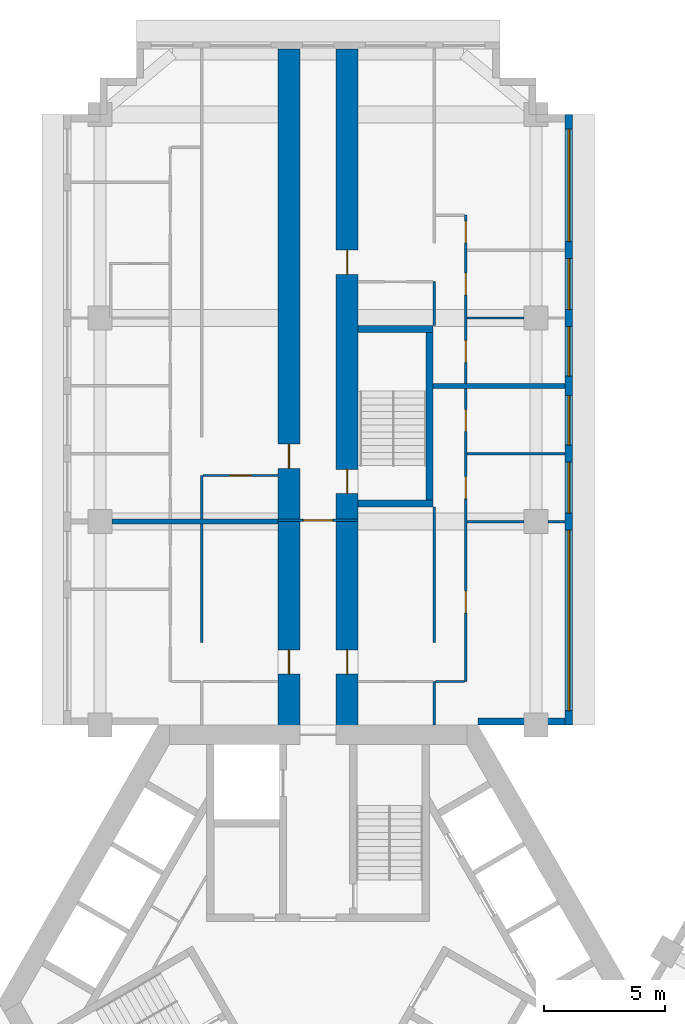
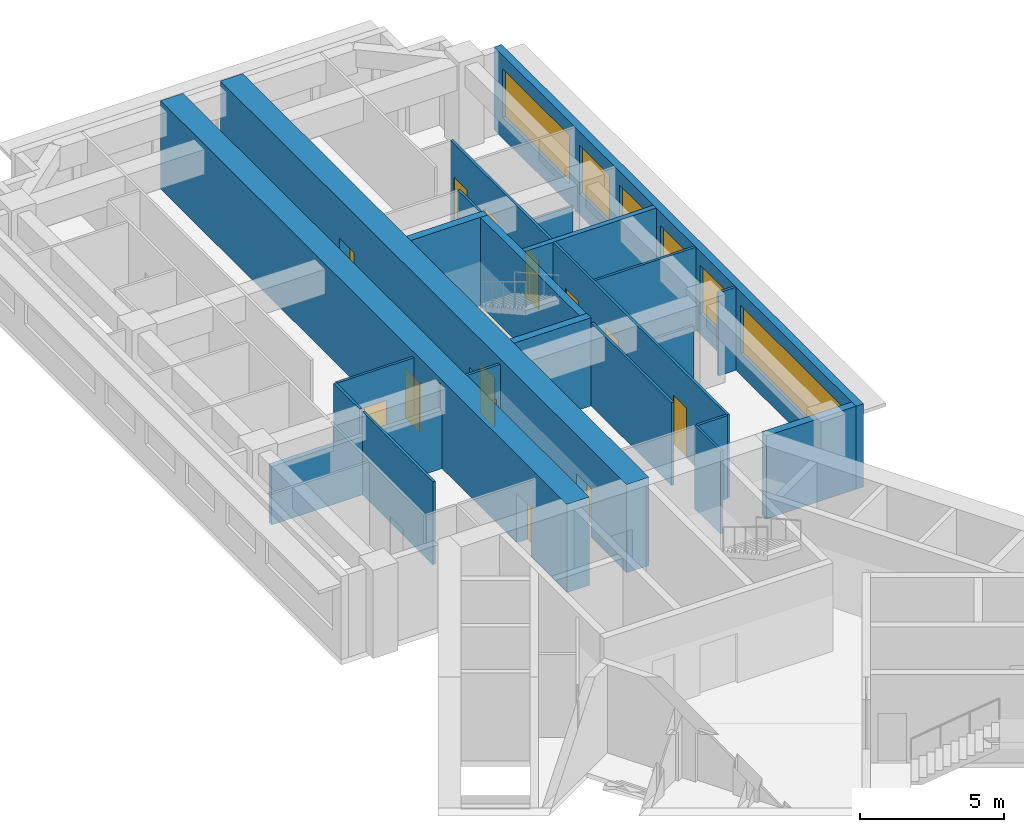
# One storey, part 9 of 12: 23 walls, 13 doors, 6 windows, 19 openings.
"""IFC4 building model written with IfcOpenShell, lengths in metres."""

from ifc_helpers import new_model, si_unit, direction, frame, frame_2d, origin, place, context, subcontext, project, spatial, rectangle, extrude, material, layer, layer_set, type_object, element, fill, save


model = new_model("IFC4")

# Units and contexts
model_context = context("Model", 3, precision=1e-05, world=origin(), true_north=direction((0.0, 1.0)))
body_context = subcontext(model_context, "Body", "Model", "MODEL_VIEW")
ifc_project = project(units=[si_unit("LENGTHUNIT", "METRE"), si_unit("AREAUNIT", "SQUARE_METRE"), si_unit("VOLUMEUNIT", "CUBIC_METRE"), si_unit("PLANEANGLEUNIT", "RADIAN"), si_unit("MASSUNIT", "GRAM", prefix="KILO")], contexts=[model_context])

# Site, building, storey
site_placement = place(None, origin())
site = spatial("IfcSite", under=ifc_project, at=site_placement, CompositionType="ELEMENT")
building_placement = place(site_placement, origin())
building = spatial("IfcBuilding", under=site, at=building_placement, Name="Impinga Residences", CompositionType="ELEMENT")
storey_placement = place(building_placement, frame((0.0, 0.0, 173.5)))
storey = spatial("IfcBuildingStorey", under=building, at=storey_placement, Name="L43", CompositionType="ELEMENT", Elevation=173.5)

# Wall, openings, doors
ifc_material_1 = material(Name="Concrete C60/75", Category="concrete")
ifc_layer_1 = layer(ifc_material_1, 0.89990234375)
ifc_layer_set_1 = layer_set([ifc_layer_1], Name="Concrete C60/75")
wall_type_1 = type_object("IfcWallType", Name="BW2 corridor buttress wall, L24 to L44 900", PredefinedType="SHEAR", material=ifc_layer_set_1)
wall_1_placement = place(storey_placement, frame((-1.199951171875, 11.031494140625, 0.0), z_axis=(0.0, 0.0, 1.0), x_axis=(0.0, 1.0, 0.0)))
wall_1 = element("IfcWall", 1, at=wall_1_placement, inside=storey, type_object=wall_type_1, Name="Corridor wall BW2 NC L43", PredefinedType="SHEAR", context=body_context, shape_type="SweptSolid", body=[
    extrude(rectangle(XDim=28.300048828125, YDim=0.89990234375, at=frame_2d((14.14990234375, 0.0))), origin(), (0.0, 0.0, 1.0), 3.75),
])
opening_1_placement = place(wall_1_placement, frame((2.5, 0.0, 0.0)))
opening_1 = element("IfcOpeningElement", 2, at=opening_1_placement, cuts=wall_1, Name="Opening D1", PredefinedType="OPENING", context=body_context, shape_type="SweptSolid", body=[
    extrude(rectangle(XDim=1.0, YDim=2.10009765625, at=frame_2d((0.5, 1.050048828125))), frame((0.0, 0.4599609375, 0.0), z_axis=(0.0, -1.0, 0.0), x_axis=(1.0, 0.0, 0.0)), (0.0, 0.0, 1.0), 0.919921875),
])
opening_2_placement = place(wall_1_placement, frame((11.0, 0.0, 0.0)))
opening_2 = element("IfcOpeningElement", 3, at=opening_2_placement, cuts=wall_1, Name="Opening D1", PredefinedType="OPENING", context=body_context, shape_type="SweptSolid", body=[
    extrude(rectangle(XDim=1.0, YDim=2.10009765625, at=frame_2d((0.5, 1.050048828125))), frame((0.0, 0.4599609375, 0.0), z_axis=(0.0, -1.0, 0.0), x_axis=(1.0, 0.0, 0.0)), (0.0, 0.0, 1.0), 0.919921875),
])
ifc_material_2 = material(Name="Timber door set", Category="wood")
door_type_1 = type_object("IfcDoorType", Name="D1 apartment entrance door 1000x2100", OperationType="SINGLE_SWING_LEFT", PredefinedType="DOOR", material=ifc_material_2)
door_1_placement = place(opening_1_placement, origin())
door_1 = element("IfcDoor", 4, at=door_1_placement, inside=storey, type_object=door_type_1, Name="Apartment L43-NA1 entrance", OperationType="SINGLE_SWING_LEFT", OverallHeight=2.10009765625, OverallWidth=1.0, PredefinedType="DOOR", context=body_context, shape_type="SweptSolid", body=[
    extrude(rectangle(XDim=1.0, YDim=2.10009765625, at=frame_2d((0.5, 1.050048828125))), frame((0.0, 0.02490234375, 0.0), z_axis=(0.0, -1.0, 0.0), x_axis=(1.0, 0.0, 0.0)), (0.0, 0.0, 1.0), 0.050048828125),
])
fill(opening_1, door_1)
door_2_placement = place(opening_2_placement, origin())
door_2 = element("IfcDoor", 5, at=door_2_placement, inside=storey, type_object=door_type_1, Name="Apartment L43-NA2 entrance", OperationType="SINGLE_SWING_LEFT", OverallHeight=2.10009765625, OverallWidth=1.0, PredefinedType="DOOR", context=body_context, shape_type="SweptSolid", body=[
    extrude(rectangle(XDim=1.0, YDim=2.10009765625, at=frame_2d((0.5, 1.050048828125))), frame((0.0, 0.02490234375, 0.0), z_axis=(0.0, -1.0, 0.0), x_axis=(1.0, 0.0, 0.0)), (0.0, 0.0, 1.0), 0.050048828125),
])
fill(opening_2, door_2)

wall_2_placement = place(storey_placement, frame((1.199951171875, 11.031494140625, 0.0), z_axis=(0.0, 0.0, 1.0), x_axis=(0.0, 1.0, 0.0)))
wall_2 = element("IfcWall", 6, at=wall_2_placement, inside=storey, type_object=wall_type_1, Name="Corridor wall BW2 ND L43", PredefinedType="SHEAR", context=body_context, shape_type="SweptSolid", body=[
    extrude(rectangle(XDim=28.300048828125, YDim=0.89990234375, at=frame_2d((14.14990234375, 0.0))), origin(), (0.0, 0.0, 1.0), 3.75),
])
opening_3_placement = place(wall_2_placement, frame((9.949951171875, 0.0, 0.0)))
opening_3 = element("IfcOpeningElement", 7, at=opening_3_placement, cuts=wall_2, Name="Opening D5", PredefinedType="OPENING", context=body_context, shape_type="SweptSolid", body=[
    extrude(rectangle(XDim=1.0, YDim=2.10009765625, at=frame_2d((0.5, 1.050048828125))), frame((0.0, 0.4599609375, 0.0), z_axis=(0.0, -1.0, 0.0), x_axis=(1.0, 0.0, 0.0)), (0.0, 0.0, 1.0), 0.919921875),
])
opening_4_placement = place(wall_2_placement, frame((2.5, 0.0, 0.0)))
opening_4 = element("IfcOpeningElement", 8, at=opening_4_placement, cuts=wall_2, Name="Opening D1", PredefinedType="OPENING", context=body_context, shape_type="SweptSolid", body=[
    extrude(rectangle(XDim=1.0, YDim=2.10009765625, at=frame_2d((0.5, 1.050048828125))), frame((0.0, 0.4599609375, 0.0), z_axis=(0.0, -1.0, 0.0), x_axis=(1.0, 0.0, 0.0)), (0.0, 0.0, 1.0), 0.919921875),
])
opening_5_placement = place(wall_2_placement, frame((19.0, 0.0, 0.0)))
opening_5 = element("IfcOpeningElement", 9, at=opening_5_placement, cuts=wall_2, Name="Opening D1", PredefinedType="OPENING", context=body_context, shape_type="SweptSolid", body=[
    extrude(rectangle(XDim=1.0, YDim=2.10009765625, at=frame_2d((0.5, 1.050048828125))), frame((0.0, 0.4599609375, 0.0), z_axis=(0.0, -1.0, 0.0), x_axis=(1.0, 0.0, 0.0)), (0.0, 0.0, 1.0), 0.919921875),
])
door_3_placement = place(opening_4_placement, origin())
door_3 = element("IfcDoor", 10, at=door_3_placement, inside=storey, type_object=door_type_1, Name="Apartment L43-NF1 entrance", OperationType="SINGLE_SWING_LEFT", OverallHeight=2.10009765625, OverallWidth=1.0, PredefinedType="DOOR", context=body_context, shape_type="SweptSolid", body=[
    extrude(rectangle(XDim=1.0, YDim=2.10009765625, at=frame_2d((0.5, 1.050048828125))), frame((0.0, 0.02490234375, 0.0), z_axis=(0.0, -1.0, 0.0), x_axis=(1.0, 0.0, 0.0)), (0.0, 0.0, 1.0), 0.050048828125),
])
fill(opening_4, door_3)
door_4_placement = place(opening_5_placement, origin())
door_4 = element("IfcDoor", 11, at=door_4_placement, inside=storey, type_object=door_type_1, Name="Apartment L43-NF2 entrance", OperationType="SINGLE_SWING_RIGHT", OverallHeight=2.10009765625, OverallWidth=1.0, PredefinedType="DOOR", context=body_context, shape_type="SweptSolid", body=[
    extrude(rectangle(XDim=1.0, YDim=2.10009765625, at=frame_2d((0.5, 1.050048828125))), frame((0.0, 0.02490234375, 0.0), z_axis=(0.0, -1.0, 0.0), x_axis=(1.0, 0.0, 0.0)), (0.0, 0.0, 1.0), 0.050048828125),
])
fill(opening_5, door_4)
door_type_2 = type_object("IfcDoorType", Name="D5 stair door 1000x2100", OperationType="SINGLE_SWING_LEFT", PredefinedType="DOOR", material=ifc_material_2)
door_5_placement = place(opening_3_placement, origin())
door_5 = element("IfcDoor", 12, at=door_5_placement, inside=storey, type_object=door_type_2, Name="Wing stair door N", OperationType="SINGLE_SWING_LEFT", OverallHeight=2.10009765625, OverallWidth=1.0, PredefinedType="DOOR", context=body_context, shape_type="SweptSolid", body=[
    extrude(rectangle(XDim=1.0, YDim=2.10009765625, at=frame_2d((0.5, 1.050048828125))), frame((0.0, 0.02490234375, 0.0), z_axis=(0.0, -1.0, 0.0), x_axis=(1.0, 0.0, 0.0)), (0.0, 0.0, 1.0), 0.050048828125),
])
fill(opening_3, door_5)

# Wall, opening, door
ifc_material_3 = material(Name="Concrete blockwork", Category="masonry")
ifc_layer_2 = layer(ifc_material_3, 0.10009765625)
ifc_layer_set_2 = layer_set([ifc_layer_2], Name="CP1 core room partition, blockwork 100")
wall_type_2 = type_object("IfcWallType", Name="CP1 core room partition, blockwork 100", PredefinedType="PARTITIONING", material=ifc_layer_set_2)
wall_3_placement = place(storey_placement, frame((-1.64990234375, 19.882080078125, 0.0), z_axis=(0.0, 0.0, 1.0), x_axis=(1.0, 0.0, 0.0)))
wall_3 = element("IfcWall", 13, at=wall_3_placement, inside=storey, type_object=wall_type_2, Name="Core room partition, blockwork L43:N:SCR", PredefinedType="PARTITIONING", context=body_context, shape_type="SweptSolid", body=[
    extrude(rectangle(XDim=3.2998046875, YDim=0.10009765625, at=frame_2d((1.64990234375, 0.0))), origin(), (0.0, 0.0, 1.0), 3.530029296875),
])
opening_6_placement = place(wall_3_placement, frame((1.050048828125, 0.0, 0.0)))
opening_6 = element("IfcOpeningElement", 14, at=opening_6_placement, cuts=wall_3, Name="Opening D3", PredefinedType="OPENING", context=body_context, shape_type="SweptSolid", body=[
    extrude(rectangle(XDim=1.199951171875, YDim=2.10009765625, at=frame_2d((0.60009765625, 1.050048828125))), frame((0.0, 0.06005859375, 0.0), z_axis=(0.0, -1.0, 0.0), x_axis=(1.0, 0.0, 0.0)), (0.0, 0.0, 1.0), 0.1201171875),
])
door_type_3 = type_object("IfcDoorType", Name="D3 room door, leaf and a half 1200x2100", OperationType="DOUBLE_SWING_LEFT", PredefinedType="DOOR", material=ifc_material_2)
door_6_placement = place(opening_6_placement, origin())
door_6 = element("IfcDoor", 15, at=door_6_placement, inside=storey, type_object=door_type_3, Name="Corridor smoke door N", OperationType="DOUBLE_SWING_LEFT", OverallHeight=2.10009765625, OverallWidth=1.199951171875, PredefinedType="DOOR", context=body_context, shape_type="SweptSolid", body=[
    extrude(rectangle(XDim=1.199951171875, YDim=2.10009765625, at=frame_2d((0.60009765625, 1.050048828125))), frame((0.0, 0.02490234375, 0.0), z_axis=(0.0, -1.0, 0.0), x_axis=(1.0, 0.0, 0.0)), (0.0, 0.0, 1.0), 0.050048828125),
])
fill(opening_6, door_6)

# Wall, openings, windows
ifc_material_4 = material(Name="Terracotta rainscreen on blockwork", Category="masonry")
ifc_layer_3 = layer(ifc_material_4, 0.300048828125)
ifc_layer_set_3 = layer_set([ifc_layer_3], Name="EW1 external wall, terracotta rainscreen on blockwork 300")
wall_type_3 = type_object("IfcWallType", Name="EW1 external wall, terracotta rainscreen on blockwork 300", PredefinedType="SOLIDWALL", material=ifc_layer_set_3)
wall_4_placement = place(storey_placement, frame((10.35009765625, 36.631591796875, 0.0), z_axis=(0.0, 0.0, 1.0), x_axis=(0.0, -1.0, 0.0)))
wall_4 = element("IfcWall", 16, at=wall_4_placement, inside=storey, type_object=wall_type_3, Name="External wall EW1 L43", PredefinedType="SOLIDWALL", context=body_context, shape_type="SweptSolid", body=[
    extrude(rectangle(XDim=25.199951171875, YDim=0.300048828125, at=frame_2d((12.60009765625, 0.0))), origin(), (0.0, 0.0, 1.0), 3.530029296875),
])
opening_7_placement = place(wall_4_placement, frame((0.60009765625, 0.0, 0.89990234375)))
opening_7 = element("IfcOpeningElement", 17, at=opening_7_placement, cuts=wall_4, Name="Opening W10", PredefinedType="OPENING", context=body_context, shape_type="SweptSolid", body=[
    extrude(rectangle(XDim=4.64990234375, YDim=2.050048828125, at=frame_2d((2.324951171875, 1.02490234375))), frame((0.0, 0.159912109375, 0.0), z_axis=(0.0, -1.0, 0.0), x_axis=(1.0, 0.0, 0.0)), (0.0, 0.0, 1.0), 0.320068359375),
])
opening_8_placement = place(wall_4_placement, frame((5.949951171875, 0.0, 0.89990234375)))
opening_8 = element("IfcOpeningElement", 18, at=opening_8_placement, cuts=wall_4, Name="Opening W9", PredefinedType="OPENING", context=body_context, shape_type="SweptSolid", body=[
    extrude(rectangle(XDim=2.10009765625, YDim=2.050048828125, at=frame_2d((1.050048828125, 1.02490234375))), frame((0.0, 0.159912109375, 0.0), z_axis=(0.0, -1.0, 0.0), x_axis=(1.0, 0.0, 0.0)), (0.0, 0.0, 1.0), 0.320068359375),
])
opening_9_placement = place(wall_4_placement, frame((8.75, 0.0, 0.89990234375)))
opening_9 = element("IfcOpeningElement", 19, at=opening_9_placement, cuts=wall_4, Name="Opening W14", PredefinedType="OPENING", context=body_context, shape_type="SweptSolid", body=[
    extrude(rectangle(XDim=2.050048828125, YDim=2.050048828125, at=frame_2d((1.02490234375, 1.02490234375))), frame((0.0, 0.159912109375, 0.0), z_axis=(0.0, -1.0, 0.0), x_axis=(1.0, 0.0, 0.0)), (0.0, 0.0, 1.0), 0.320068359375),
])
opening_10_placement = place(wall_4_placement, frame((11.60009765625, 0.0, 0.89990234375)))
opening_10 = element("IfcOpeningElement", 20, at=opening_10_placement, cuts=wall_4, Name="Opening W14", PredefinedType="OPENING", context=body_context, shape_type="SweptSolid", body=[
    extrude(rectangle(XDim=2.050048828125, YDim=2.050048828125, at=frame_2d((1.02490234375, 1.02490234375))), frame((0.0, 0.159912109375, 0.0), z_axis=(0.0, -1.0, 0.0), x_axis=(1.0, 0.0, 0.0)), (0.0, 0.0, 1.0), 0.320068359375),
])
opening_11_placement = place(wall_4_placement, frame((14.35009765625, 0.0, 0.89990234375)))
opening_11 = element("IfcOpeningElement", 21, at=opening_11_placement, cuts=wall_4, Name="Opening W9", PredefinedType="OPENING", context=body_context, shape_type="SweptSolid", body=[
    extrude(rectangle(XDim=2.10009765625, YDim=2.050048828125, at=frame_2d((1.050048828125, 1.02490234375))), frame((0.0, 0.159912109375, 0.0), z_axis=(0.0, -1.0, 0.0), x_axis=(1.0, 0.0, 0.0)), (0.0, 0.0, 1.0), 0.320068359375),
])
opening_12_placement = place(wall_4_placement, frame((17.14990234375, 0.0, 0.89990234375)))
opening_12 = element("IfcOpeningElement", 22, at=opening_12_placement, cuts=wall_4, Name="Opening W7", PredefinedType="OPENING", context=body_context, shape_type="SweptSolid", body=[
    extrude(rectangle(XDim=7.449951171875, YDim=2.050048828125, at=frame_2d((3.72509765625, 1.02490234375))), frame((0.0, 0.159912109375, 0.0), z_axis=(0.0, -1.0, 0.0), x_axis=(1.0, 0.0, 0.0)), (0.0, 0.0, 1.0), 0.320068359375),
])
ifc_material_5 = material(Name="Aluminium window, clear double glazing", Category="aluminium")
window_type_1 = type_object("IfcWindowType", Name="W10 ribbon window 4650x2050", PartitioningType="SINGLE_PANEL", PredefinedType="WINDOW", material=ifc_material_5)
window_1_placement = place(opening_7_placement, origin())
window_1 = element("IfcWindow", 23, at=window_1_placement, inside=storey, type_object=window_type_1, Name="Window L43", OverallHeight=2.050048828125, OverallWidth=4.64990234375, PartitioningType="SINGLE_PANEL", PredefinedType="WINDOW", context=body_context, shape_type="SweptSolid", body=[
    extrude(rectangle(XDim=4.64990234375, YDim=2.050048828125, at=frame_2d((2.324951171875, 1.02490234375))), frame((0.0, 0.030029296875, 0.0), z_axis=(0.0, -1.0, 0.0), x_axis=(1.0, 0.0, 0.0)), (0.0, 0.0, 1.0), 0.06005859375),
])
fill(opening_7, window_1)
window_type_2 = type_object("IfcWindowType", Name="W14 ribbon window 2050x2050", PartitioningType="SINGLE_PANEL", PredefinedType="WINDOW", material=ifc_material_5)
window_2_placement = place(opening_9_placement, origin())
window_2 = element("IfcWindow", 24, at=window_2_placement, inside=storey, type_object=window_type_2, Name="Window L43", OverallHeight=2.050048828125, OverallWidth=2.050048828125, PartitioningType="SINGLE_PANEL", PredefinedType="WINDOW", context=body_context, shape_type="SweptSolid", body=[
    extrude(rectangle(XDim=2.050048828125, YDim=2.050048828125, at=frame_2d((1.02490234375, 1.02490234375))), frame((0.0, 0.030029296875, 0.0), z_axis=(0.0, -1.0, 0.0), x_axis=(1.0, 0.0, 0.0)), (0.0, 0.0, 1.0), 0.06005859375),
])
fill(opening_9, window_2)
window_3_placement = place(opening_10_placement, origin())
window_3 = element("IfcWindow", 25, at=window_3_placement, inside=storey, type_object=window_type_2, Name="Window L43", OverallHeight=2.050048828125, OverallWidth=2.050048828125, PartitioningType="SINGLE_PANEL", PredefinedType="WINDOW", context=body_context, shape_type="SweptSolid", body=[
    extrude(rectangle(XDim=2.050048828125, YDim=2.050048828125, at=frame_2d((1.02490234375, 1.02490234375))), frame((0.0, 0.030029296875, 0.0), z_axis=(0.0, -1.0, 0.0), x_axis=(1.0, 0.0, 0.0)), (0.0, 0.0, 1.0), 0.06005859375),
])
fill(opening_10, window_3)
window_type_3 = type_object("IfcWindowType", Name="W7 ribbon window 7450x2050", PartitioningType="SINGLE_PANEL", PredefinedType="WINDOW", material=ifc_material_5)
window_4_placement = place(opening_12_placement, origin())
window_4 = element("IfcWindow", 26, at=window_4_placement, inside=storey, type_object=window_type_3, Name="Window L43", OverallHeight=2.050048828125, OverallWidth=7.449951171875, PartitioningType="SINGLE_PANEL", PredefinedType="WINDOW", context=body_context, shape_type="SweptSolid", body=[
    extrude(rectangle(XDim=7.449951171875, YDim=2.050048828125, at=frame_2d((3.72509765625, 1.02490234375))), frame((0.0, 0.030029296875, 0.0), z_axis=(0.0, -1.0, 0.0), x_axis=(1.0, 0.0, 0.0)), (0.0, 0.0, 1.0), 0.06005859375),
])
fill(opening_12, window_4)
window_type_4 = type_object("IfcWindowType", Name="W9 ribbon window 2100x2050", PartitioningType="SINGLE_PANEL", PredefinedType="WINDOW", material=ifc_material_5)
window_5_placement = place(opening_8_placement, origin())
window_5 = element("IfcWindow", 27, at=window_5_placement, inside=storey, type_object=window_type_4, Name="Window L43", OverallHeight=2.050048828125, OverallWidth=2.10009765625, PartitioningType="SINGLE_PANEL", PredefinedType="WINDOW", context=body_context, shape_type="SweptSolid", body=[
    extrude(rectangle(XDim=2.10009765625, YDim=2.050048828125, at=frame_2d((1.050048828125, 1.02490234375))), frame((0.0, 0.030029296875, 0.0), z_axis=(0.0, -1.0, 0.0), x_axis=(1.0, 0.0, 0.0)), (0.0, 0.0, 1.0), 0.06005859375),
])
fill(opening_8, window_5)
window_6_placement = place(opening_11_placement, origin())
window_6 = element("IfcWindow", 28, at=window_6_placement, inside=storey, type_object=window_type_4, Name="Window L43", OverallHeight=2.050048828125, OverallWidth=2.10009765625, PartitioningType="SINGLE_PANEL", PredefinedType="WINDOW", context=body_context, shape_type="SweptSolid", body=[
    extrude(rectangle(XDim=2.10009765625, YDim=2.050048828125, at=frame_2d((1.050048828125, 1.02490234375))), frame((0.0, 0.030029296875, 0.0), z_axis=(0.0, -1.0, 0.0), x_axis=(1.0, 0.0, 0.0)), (0.0, 0.0, 1.0), 0.06005859375),
])
fill(opening_11, window_6)

# Walls
wall_5_placement = place(storey_placement, frame((10.199951171875, 11.58154296875, 0.0), z_axis=(0.0, 0.0, 1.0), x_axis=(-1.0, 0.0, 0.0)))
element("IfcWall", 29, at=wall_5_placement, inside=storey, type_object=wall_type_3, Name="External wall EW1 L43", PredefinedType="SOLIDWALL", context=body_context, shape_type="SweptSolid", body=[
    extrude(rectangle(XDim=3.599853515625, YDim=0.300048828125, at=frame_2d((1.7998046875, 0.0))), origin(), (0.0, 0.0, 1.0), 3.530029296875),
])
ifc_material_6 = material(Name="Gypsum board on steel studs", Category="steel")
ifc_layer_4 = layer(ifc_material_6, 0.10009765625)
ifc_layer_set_4 = layer_set([ifc_layer_4], Name="Gypsum board on steel studs")
wall_type_4 = type_object("IfcWallType", Name="IP1 partition 100", PredefinedType="PARTITIONING", material=ifc_layer_set_4)
wall_6_placement = place(storey_placement, frame((-4.800048828125, 14.83154296875, 0.0), z_axis=(0.0, 0.0, 1.0), x_axis=(0.0, 1.0, 0.0)))
element("IfcWall", 30, at=wall_6_placement, inside=storey, type_object=wall_type_4, Name="Partition L43-NA1:DIV1", PredefinedType="PARTITIONING", context=body_context, shape_type="SweptSolid", body=[
    extrude(rectangle(XDim=4.89990234375, YDim=0.10009765625, at=frame_2d((2.449951171875, 0.0))), origin(), (0.0, 0.0, 1.0), 3.530029296875),
])
wall_7_placement = place(storey_placement, frame((-4.800048828125, 19.931640625, 0.0), z_axis=(0.0, 0.0, 1.0), x_axis=(0.0, 1.0, 0.0)))
element("IfcWall", 31, at=wall_7_placement, inside=storey, type_object=wall_type_4, Name="Partition L43-NA2:DIV0", PredefinedType="PARTITIONING", context=body_context, shape_type="SweptSolid", body=[
    extrude(rectangle(XDim=1.7998046875, YDim=0.10009765625, at=frame_2d((0.89990234375, 0.0))), origin(), (0.0, 0.0, 1.0), 3.530029296875),
])

# Wall, opening, door
wall_8_placement = place(storey_placement, frame((-1.64990234375, 21.7314453125, 0.0), z_axis=(0.0, 0.0, 1.0), x_axis=(-1.0, 0.0, 0.0)))
wall_8 = element("IfcWall", 32, at=wall_8_placement, inside=storey, type_object=wall_type_4, Name="Partition L43-NA2:IB1", PredefinedType="PARTITIONING", context=body_context, shape_type="SweptSolid", body=[
    extrude(rectangle(XDim=3.10009765625, YDim=0.10009765625, at=frame_2d((1.550048828125, 0.0))), origin(), (0.0, 0.0, 1.0), 3.530029296875),
])
opening_13_placement = place(wall_8_placement, frame((1.10009765625, 0.0, 0.0)))
opening_13 = element("IfcOpeningElement", 33, at=opening_13_placement, cuts=wall_8, Name="Opening D2", PredefinedType="OPENING", context=body_context, shape_type="SweptSolid", body=[
    extrude(rectangle(XDim=0.89990234375, YDim=2.10009765625, at=frame_2d((0.449951171875, 1.050048828125))), frame((0.0, 0.06005859375, 0.0), z_axis=(0.0, -1.0, 0.0), x_axis=(1.0, 0.0, 0.0)), (0.0, 0.0, 1.0), 0.1201171875),
])
door_type_4 = type_object("IfcDoorType", Name="D2 internal door 900x2100", OperationType="SINGLE_SWING_LEFT", PredefinedType="DOOR", material=ifc_material_2)
door_7_placement = place(opening_13_placement, origin())
door_7 = element("IfcDoor", 34, at=door_7_placement, inside=storey, type_object=door_type_4, Name="Apartment L43-NA2 bathroom door", OperationType="SINGLE_SWING_LEFT", OverallHeight=2.10009765625, OverallWidth=0.89990234375, PredefinedType="DOOR", context=body_context, shape_type="SweptSolid", body=[
    extrude(rectangle(XDim=0.89990234375, YDim=2.10009765625, at=frame_2d((0.449951171875, 1.050048828125))), frame((0.0, 0.02490234375, 0.0), z_axis=(0.0, -1.0, 0.0), x_axis=(1.0, 0.0, 0.0)), (0.0, 0.0, 1.0), 0.050048828125),
])
fill(opening_13, door_7)

# Walls
wall_9_placement = place(storey_placement, frame((4.800048828125, 11.431640625, 0.0), z_axis=(0.0, 0.0, 1.0), x_axis=(0.0, 1.0, 0.0)))
element("IfcWall", 35, at=wall_9_placement, inside=storey, type_object=wall_type_4, Name="Partition L43-NF1:DIV0", PredefinedType="PARTITIONING", context=body_context, shape_type="SweptSolid", body=[
    extrude(rectangle(XDim=1.7998046875, YDim=0.10009765625, at=frame_2d((0.89990234375, 0.0))), origin(), (0.0, 0.0, 1.0), 3.530029296875),
])
wall_10_placement = place(storey_placement, frame((4.800048828125, 14.83154296875, 0.0), z_axis=(0.0, 0.0, 1.0), x_axis=(0.0, 1.0, 0.0)))
element("IfcWall", 36, at=wall_10_placement, inside=storey, type_object=wall_type_4, Name="Partition L43-NF1:DIV1", PredefinedType="PARTITIONING", context=body_context, shape_type="SweptSolid", body=[
    extrude(rectangle(XDim=5.60009765625, YDim=0.10009765625, at=frame_2d((2.800048828125, 0.0))), origin(), (0.0, 0.0, 1.0), 3.530029296875),
])

# Wall, openings, doors
wall_11_placement = place(storey_placement, frame((6.10009765625, 13.2314453125, 0.0), z_axis=(0.0, 0.0, 1.0), x_axis=(0.0, 1.0, 0.0)))
wall_11 = element("IfcWall", 37, at=wall_11_placement, inside=storey, type_object=wall_type_4, Name="Partition L43-NF1:STRIP", PredefinedType="PARTITIONING", context=body_context, shape_type="SweptSolid", body=[
    extrude(rectangle(XDim=12.10009765625, YDim=0.10009765625, at=frame_2d((6.050048828125, 0.0))), origin(), (0.0, 0.0, 1.0), 3.530029296875),
])
opening_14_placement = place(wall_11_placement, frame((2.824951171875, 0.0, 0.0)))
opening_14 = element("IfcOpeningElement", 38, at=opening_14_placement, cuts=wall_11, Name="Opening D2", PredefinedType="OPENING", context=body_context, shape_type="SweptSolid", body=[
    extrude(rectangle(XDim=0.89990234375, YDim=2.10009765625, at=frame_2d((0.449951171875, 1.050048828125))), frame((0.0, 0.06005859375, 0.0), z_axis=(0.0, -1.0, 0.0), x_axis=(1.0, 0.0, 0.0)), (0.0, 0.0, 1.0), 0.1201171875),
])
opening_15_placement = place(wall_11_placement, frame((7.550048828125, 0.0, 0.0)))
opening_15 = element("IfcOpeningElement", 39, at=opening_15_placement, cuts=wall_11, Name="Opening D2", PredefinedType="OPENING", context=body_context, shape_type="SweptSolid", body=[
    extrude(rectangle(XDim=0.89990234375, YDim=2.10009765625, at=frame_2d((0.449951171875, 1.050048828125))), frame((0.0, 0.06005859375, 0.0), z_axis=(0.0, -1.0, 0.0), x_axis=(1.0, 0.0, 0.0)), (0.0, 0.0, 1.0), 0.1201171875),
])
opening_16_placement = place(wall_11_placement, frame((10.324951171875, 0.0, 0.0)))
opening_16 = element("IfcOpeningElement", 40, at=opening_16_placement, cuts=wall_11, Name="Opening D2", PredefinedType="OPENING", context=body_context, shape_type="SweptSolid", body=[
    extrude(rectangle(XDim=0.89990234375, YDim=2.10009765625, at=frame_2d((0.449951171875, 1.050048828125))), frame((0.0, 0.06005859375, 0.0), z_axis=(0.0, -1.0, 0.0), x_axis=(1.0, 0.0, 0.0)), (0.0, 0.0, 1.0), 0.1201171875),
])
door_8_placement = place(opening_14_placement, origin())
door_8 = element("IfcDoor", 41, at=door_8_placement, inside=storey, type_object=door_type_4, Name="Apartment L43-NF1 room door", OperationType="SINGLE_SWING_LEFT", OverallHeight=2.10009765625, OverallWidth=0.89990234375, PredefinedType="DOOR", context=body_context, shape_type="SweptSolid", body=[
    extrude(rectangle(XDim=0.89990234375, YDim=2.10009765625, at=frame_2d((0.449951171875, 1.050048828125))), frame((0.0, 0.02490234375, 0.0), z_axis=(0.0, -1.0, 0.0), x_axis=(1.0, 0.0, 0.0)), (0.0, 0.0, 1.0), 0.050048828125),
])
fill(opening_14, door_8)
door_9_placement = place(opening_15_placement, origin())
door_9 = element("IfcDoor", 42, at=door_9_placement, inside=storey, type_object=door_type_4, Name="Apartment L43-NF1 room door", OperationType="SINGLE_SWING_RIGHT", OverallHeight=2.10009765625, OverallWidth=0.89990234375, PredefinedType="DOOR", context=body_context, shape_type="SweptSolid", body=[
    extrude(rectangle(XDim=0.89990234375, YDim=2.10009765625, at=frame_2d((0.449951171875, 1.050048828125))), frame((0.0, 0.02490234375, 0.0), z_axis=(0.0, -1.0, 0.0), x_axis=(1.0, 0.0, 0.0)), (0.0, 0.0, 1.0), 0.050048828125),
])
fill(opening_15, door_9)
door_10_placement = place(opening_16_placement, origin())
door_10 = element("IfcDoor", 43, at=door_10_placement, inside=storey, type_object=door_type_4, Name="Apartment L43-NF1 room door", OperationType="SINGLE_SWING_RIGHT", OverallHeight=2.10009765625, OverallWidth=0.89990234375, PredefinedType="DOOR", context=body_context, shape_type="SweptSolid", body=[
    extrude(rectangle(XDim=0.89990234375, YDim=2.10009765625, at=frame_2d((0.449951171875, 1.050048828125))), frame((0.0, 0.02490234375, 0.0), z_axis=(0.0, -1.0, 0.0), x_axis=(1.0, 0.0, 0.0)), (0.0, 0.0, 1.0), 0.050048828125),
])
fill(opening_16, door_10)

# Walls
wall_12_placement = place(storey_placement, frame((4.85009765625, 13.2314453125, 0.0), z_axis=(0.0, 0.0, 1.0), x_axis=(1.0, 0.0, 0.0)))
element("IfcWall", 44, at=wall_12_placement, inside=storey, type_object=wall_type_4, Name="Partition L43-NF1:SE0", PredefinedType="PARTITIONING", context=body_context, shape_type="SweptSolid", body=[
    extrude(rectangle(XDim=1.199951171875, YDim=0.10009765625, at=frame_2d((0.60009765625, 0.0))), origin(), (0.0, 0.0, 1.0), 3.530029296875),
])
wall_13_placement = place(storey_placement, frame((6.14990234375, 19.83154296875, 0.0), z_axis=(0.0, 0.0, 1.0), x_axis=(1.0, 0.0, 0.0)))
element("IfcWall", 45, at=wall_13_placement, inside=storey, type_object=wall_type_4, Name="Partition L43-NF1:OB1", PredefinedType="PARTITIONING", context=body_context, shape_type="SweptSolid", body=[
    extrude(rectangle(XDim=2.35009765625, YDim=0.10009765625, at=frame_2d((1.175048828125, 0.0))), origin(), (0.0, 0.0, 1.0), 2.47998046875),
])
wall_14_placement = place(storey_placement, frame((9.5, 19.83154296875, 0.0), z_axis=(0.0, 0.0, 1.0), x_axis=(1.0, 0.0, 0.0)))
element("IfcWall", 46, at=wall_14_placement, inside=storey, type_object=wall_type_4, Name="Partition L43-NF1:OB1b", PredefinedType="PARTITIONING", context=body_context, shape_type="SweptSolid", body=[
    extrude(rectangle(XDim=0.699951171875, YDim=0.10009765625, at=frame_2d((0.35009765625, 0.0))), origin(), (0.0, 0.0, 1.0), 3.530029296875),
])
wall_15_placement = place(storey_placement, frame((6.14990234375, 22.631591796875, 0.0), z_axis=(0.0, 0.0, 1.0), x_axis=(1.0, 0.0, 0.0)))
element("IfcWall", 47, at=wall_15_placement, inside=storey, type_object=wall_type_4, Name="Partition L43-NF1:OB2", PredefinedType="PARTITIONING", context=body_context, shape_type="SweptSolid", body=[
    extrude(rectangle(XDim=4.050048828125, YDim=0.10009765625, at=frame_2d((2.02490234375, 0.0))), origin(), (0.0, 0.0, 1.0), 3.530029296875),
])
wall_16_placement = place(storey_placement, frame((4.800048828125, 27.931640625, 0.0), z_axis=(0.0, 0.0, 1.0), x_axis=(0.0, 1.0, 0.0)))
element("IfcWall", 48, at=wall_16_placement, inside=storey, type_object=wall_type_4, Name="Partition L43-NF2:DIV0", PredefinedType="PARTITIONING", context=body_context, shape_type="SweptSolid", body=[
    extrude(rectangle(XDim=1.7998046875, YDim=0.10009765625, at=frame_2d((0.89990234375, 0.0))), origin(), (0.0, 0.0, 1.0), 3.530029296875),
])

# Wall, openings, doors
wall_17_placement = place(storey_placement, frame((6.10009765625, 25.531494140625, 0.0), z_axis=(0.0, 0.0, 1.0), x_axis=(0.0, 1.0, 0.0)))
wall_17 = element("IfcWall", 49, at=wall_17_placement, inside=storey, type_object=wall_type_4, Name="Partition L43-NF2:STRIP", PredefinedType="PARTITIONING", context=body_context, shape_type="SweptSolid", body=[
    extrude(rectangle(XDim=6.949951171875, YDim=0.10009765625, at=frame_2d((3.47509765625, 0.0))), origin(), (0.0, 0.0, 1.0), 3.530029296875),
])
opening_17_placement = place(wall_17_placement, frame((0.875, 0.0, 0.0)))
opening_17 = element("IfcOpeningElement", 50, at=opening_17_placement, cuts=wall_17, Name="Opening D2", PredefinedType="OPENING", context=body_context, shape_type="SweptSolid", body=[
    extrude(rectangle(XDim=0.89990234375, YDim=2.10009765625, at=frame_2d((0.449951171875, 1.050048828125))), frame((0.0, 0.06005859375, 0.0), z_axis=(0.0, -1.0, 0.0), x_axis=(1.0, 0.0, 0.0)), (0.0, 0.0, 1.0), 0.1201171875),
])
opening_18_placement = place(wall_17_placement, frame((3.64990234375, 0.0, 0.0)))
opening_18 = element("IfcOpeningElement", 51, at=opening_18_placement, cuts=wall_17, Name="Opening D2", PredefinedType="OPENING", context=body_context, shape_type="SweptSolid", body=[
    extrude(rectangle(XDim=0.89990234375, YDim=2.10009765625, at=frame_2d((0.449951171875, 1.050048828125))), frame((0.0, 0.06005859375, 0.0), z_axis=(0.0, -1.0, 0.0), x_axis=(1.0, 0.0, 0.0)), (0.0, 0.0, 1.0), 0.1201171875),
])
opening_19_placement = place(wall_17_placement, frame((5.800048828125, 0.0, 0.0)))
opening_19 = element("IfcOpeningElement", 52, at=opening_19_placement, cuts=wall_17, Name="Opening D2", PredefinedType="OPENING", context=body_context, shape_type="SweptSolid", body=[
    extrude(rectangle(XDim=0.89990234375, YDim=2.10009765625, at=frame_2d((0.449951171875, 1.050048828125))), frame((0.0, 0.06005859375, 0.0), z_axis=(0.0, -1.0, 0.0), x_axis=(1.0, 0.0, 0.0)), (0.0, 0.0, 1.0), 0.1201171875),
])
door_11_placement = place(opening_17_placement, origin())
door_11 = element("IfcDoor", 53, at=door_11_placement, inside=storey, type_object=door_type_4, Name="Apartment L43-NF2 room door", OperationType="SINGLE_SWING_LEFT", OverallHeight=2.10009765625, OverallWidth=0.89990234375, PredefinedType="DOOR", context=body_context, shape_type="SweptSolid", body=[
    extrude(rectangle(XDim=0.89990234375, YDim=2.10009765625, at=frame_2d((0.449951171875, 1.050048828125))), frame((0.0, 0.02490234375, 0.0), z_axis=(0.0, -1.0, 0.0), x_axis=(1.0, 0.0, 0.0)), (0.0, 0.0, 1.0), 0.050048828125),
])
fill(opening_17, door_11)
door_12_placement = place(opening_18_placement, origin())
door_12 = element("IfcDoor", 54, at=door_12_placement, inside=storey, type_object=door_type_4, Name="Apartment L43-NF2 room door", OperationType="SINGLE_SWING_RIGHT", OverallHeight=2.10009765625, OverallWidth=0.89990234375, PredefinedType="DOOR", context=body_context, shape_type="SweptSolid", body=[
    extrude(rectangle(XDim=0.89990234375, YDim=2.10009765625, at=frame_2d((0.449951171875, 1.050048828125))), frame((0.0, 0.02490234375, 0.0), z_axis=(0.0, -1.0, 0.0), x_axis=(1.0, 0.0, 0.0)), (0.0, 0.0, 1.0), 0.050048828125),
])
fill(opening_18, door_12)
door_13_placement = place(opening_19_placement, origin())
door_13 = element("IfcDoor", 55, at=door_13_placement, inside=storey, type_object=door_type_4, Name="Apartment L43-NF2 room door", OperationType="SINGLE_SWING_RIGHT", OverallHeight=2.10009765625, OverallWidth=0.89990234375, PredefinedType="DOOR", context=body_context, shape_type="SweptSolid", body=[
    extrude(rectangle(XDim=0.89990234375, YDim=2.10009765625, at=frame_2d((0.449951171875, 1.050048828125))), frame((0.0, 0.02490234375, 0.0), z_axis=(0.0, -1.0, 0.0), x_axis=(1.0, 0.0, 0.0)), (0.0, 0.0, 1.0), 0.050048828125),
])
fill(opening_19, door_13)

# Walls
wall_18_placement = place(storey_placement, frame((6.14990234375, 28.2314453125, 0.0), z_axis=(0.0, 0.0, 1.0), x_axis=(1.0, 0.0, 0.0)))
element("IfcWall", 56, at=wall_18_placement, inside=storey, type_object=wall_type_4, Name="Partition L43-NF2:OB1", PredefinedType="PARTITIONING", context=body_context, shape_type="SweptSolid", body=[
    extrude(rectangle(XDim=2.35009765625, YDim=0.10009765625, at=frame_2d((1.175048828125, 0.0))), origin(), (0.0, 0.0, 1.0), 2.47998046875),
])
ifc_layer_5 = layer(ifc_material_3, 0.199951171875)
ifc_layer_set_5 = layer_set([ifc_layer_5], Name="PW1 party wall between apartments 200")
wall_type_5 = type_object("IfcWallType", Name="PW1 party wall between apartments 200", PredefinedType="SOLIDWALL", material=ifc_layer_set_5)
wall_19_placement = place(storey_placement, frame((-1.64990234375, 19.83154296875, 0.0), z_axis=(0.0, 0.0, 1.0), x_axis=(-1.0, 0.0, 0.0)))
element("IfcWall", 57, at=wall_19_placement, inside=storey, type_object=wall_type_5, Name="Party wall between apartments L43-NA1:PARTY", PredefinedType="SOLIDWALL", context=body_context, shape_type="SweptSolid", body=[
    extrude(rectangle(XDim=6.85009765625, YDim=0.199951171875, at=frame_2d((3.425048828125, 0.0))), origin(), (0.0, 0.0, 1.0), 2.47998046875),
])
wall_20_placement = place(storey_placement, frame((4.75, 25.431640625, 0.0), z_axis=(0.0, 0.0, 1.0), x_axis=(1.0, 0.0, 0.0)))
element("IfcWall", 58, at=wall_20_placement, inside=storey, type_object=wall_type_5, Name="Party wall between apartments L43-NF1:PARTY", PredefinedType="SOLIDWALL", context=body_context, shape_type="SweptSolid", body=[
    extrude(rectangle(XDim=5.449951171875, YDim=0.199951171875, at=frame_2d((2.72509765625, 0.0))), origin(), (0.0, 0.0, 1.0), 3.530029296875),
])
ifc_layer_6 = layer(ifc_material_1, 0.300048828125)
ifc_layer_set_6 = layer_set([ifc_layer_6], Name="Concrete C60/75")
wall_type_6 = type_object("IfcWallType", Name="SE1 wing stair enclosure wall 300", PredefinedType="SOLIDWALL", material=ifc_layer_set_6)
for number, where, z_axis, x_axis, name in (
    (59, (1.64990234375, 20.58154296875, 0.0), (0.0, 0.0, 1.0), (1.0, 0.0, 0.0), "Stair enclosure wall SE1 N END0 L43"),
    (60, (1.64990234375, 27.781494140625, 0.0), (0.0, 0.0, 1.0), (1.0, 0.0, 0.0), "Stair enclosure wall SE1 N END1 L43"),
):
    element("IfcWall", number, at=place(storey_placement, frame(where, z_axis=z_axis, x_axis=x_axis)), inside=storey, type_object=wall_type_6, Name=name, PredefinedType="SOLIDWALL", context=body_context, shape_type="SweptSolid", body=[
        extrude(rectangle(XDim=3.10009765625, YDim=0.300048828125, at=frame_2d((1.550048828125, 0.0))), origin(), (0.0, 0.0, 1.0), 3.75),
    ])
wall_21_placement = place(storey_placement, frame((4.60009765625, 20.7314453125, 0.0), z_axis=(0.0, 0.0, 1.0), x_axis=(0.0, 1.0, 0.0)))
element("IfcWall", 61, at=wall_21_placement, inside=storey, type_object=wall_type_6, Name="Stair enclosure wall SE1 N OUT L43", PredefinedType="SOLIDWALL", context=body_context, shape_type="SweptSolid", body=[
    extrude(rectangle(XDim=6.900146484375, YDim=0.300048828125, at=frame_2d((3.4501953125, 0.0))), origin(), (0.0, 0.0, 1.0), 3.75),
])

save(model, "model.ifc")
